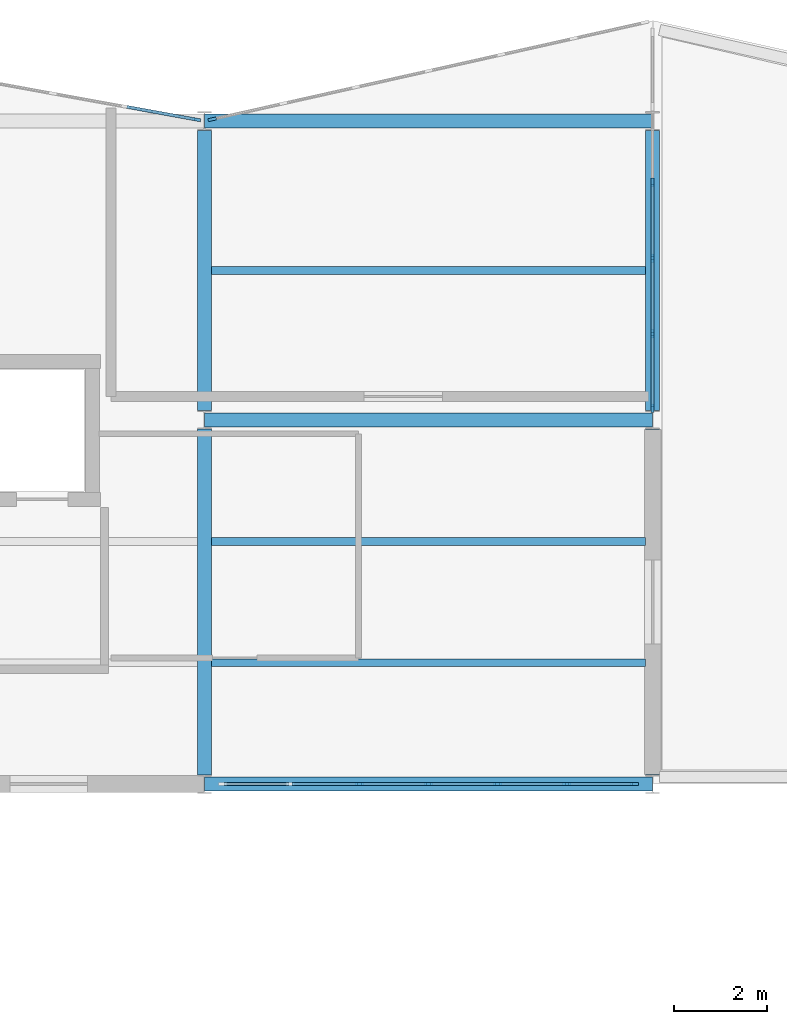
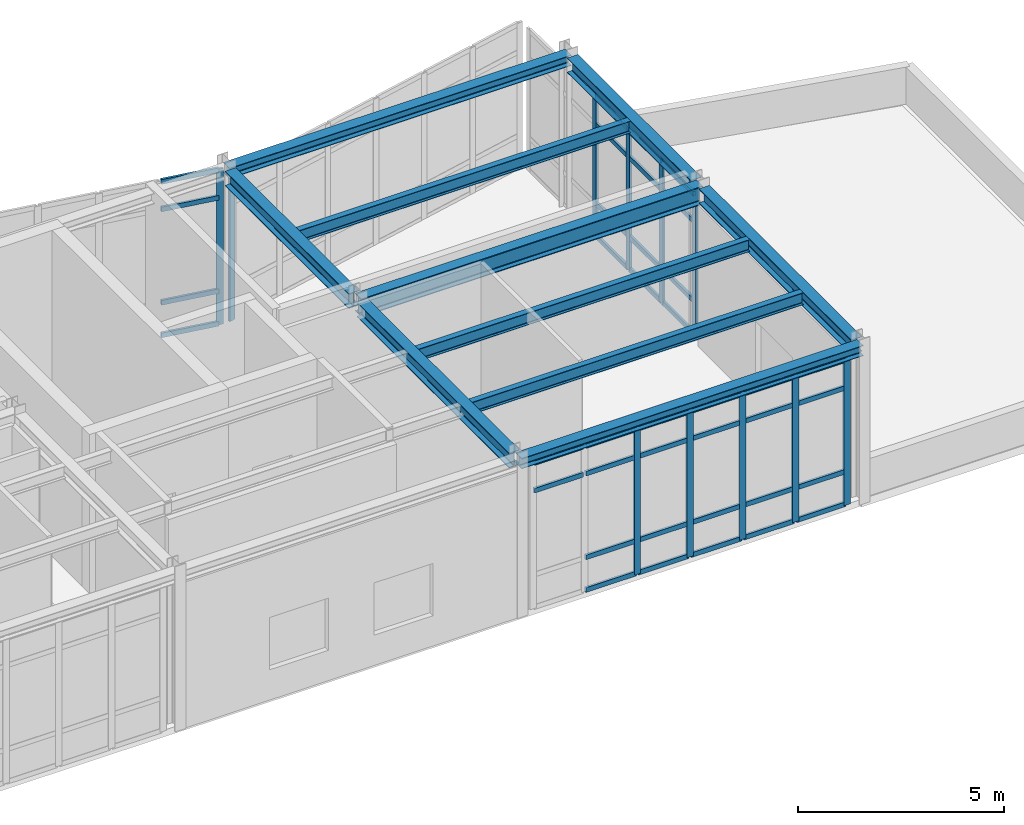
# One storey, part 14 of 28: 49 members, 10 beams, 4 elements without a shape of their own.
"""IFC4 building model written with IfcOpenShell, lengths in metres."""

from ifc_helpers import new_model, si_unit, direction, frame, origin, origin_2d, place, context, subcontext, project, spatial, rectangle, i_section, extrude, material, layer, layer_set, material_profile, profile_set, type_object, element, aggregate, save


model = new_model("IFC4")

# Units and contexts
model_context = context("Model", 3, precision=1e-05, world=origin(), true_north=direction((0.0, 1.0)))
body_context = subcontext(model_context, "Body", "Model", "MODEL_VIEW")
ifc_project = project(units=[si_unit("LENGTHUNIT", "METRE"), si_unit("AREAUNIT", "SQUARE_METRE"), si_unit("VOLUMEUNIT", "CUBIC_METRE"), si_unit("PLANEANGLEUNIT", "RADIAN"), si_unit("MASSUNIT", "GRAM", prefix="KILO")], contexts=[model_context])

# Site, building, storey
site_placement = place(None, origin())
site = spatial("IfcSite", under=ifc_project, at=site_placement, CompositionType="ELEMENT")
building_placement = place(site_placement, origin())
building = spatial("IfcBuilding", under=site, at=building_placement, Name="Nordkorset Police Headquarters", CompositionType="ELEMENT")
storey_placement = place(building_placement, frame((0.0, 0.0, 26.25)))
storey = spatial("IfcBuildingStorey", under=building, at=storey_placement, Name="L06", CompositionType="ELEMENT", Elevation=26.25)

# Beams
ifc_material_1 = material(Name="Steel S355J2", Category="steel")
ifc_material_profile_1 = material_profile(ifc_material_1, i_section(OverallWidth=0.169921875, OverallDepth=0.360107421875, WebThickness=0.008056640625, FlangeThickness=0.0126953125, FilletRadius=0.01806640625, at=origin_2d()), Name="IPE 360")
ifc_profile_set_1 = profile_set([ifc_material_profile_1], Name="Steel S355J2")
beam_type_1 = type_object("IfcBeamType", Name="Beam_IPE_360", PredefinedType="BEAM", material=ifc_profile_set_1)
for number, where, z_axis, x_axis, name in (
    (1, (67.35009765625, 105.199951171875, 4.485107421875), (1.0, 0.0, 0.0), (0.0, 1.0, 0.0), "Composite Floor Beam V2 L06 4-0-1"),
    (2, (67.35009765625, 107.800048828125, 4.485107421875), (1.0, 0.0, 0.0), (0.0, 1.0, 0.0), "Composite Floor Beam V2 L06 4-0-2"),
    (3, (67.35009765625, 113.60009765625, 4.485107421875), (1.0, 0.0, 0.0), (0.0, 1.0, 0.0), "Composite Floor Beam V2 L06 4-1-1"),
):
    element("IfcBeam", number, at=place(storey_placement, frame(where, z_axis=z_axis, x_axis=x_axis)), inside=storey, type_object=beam_type_1, Name=name, PredefinedType="BEAM", context=body_context, shape_type="SweptSolid", body=[
        extrude(i_section(OverallWidth=0.169921875, OverallDepth=0.360107421875, WebThickness=0.008056640625, FlangeThickness=0.0126953125, FilletRadius=0.01806640625, at=origin_2d()), origin(), (0.0, 0.0, 1.0), 9.2998046875),
    ])

# Curtain wall, member
ifc_material_2 = material(Name="Aluminium alloy AW-6060", Category="aluminium")
ifc_layer_1 = layer(ifc_material_2, 0.179931640625, Name="Aluminium alloy AW-6060")
ifc_layer_set_1 = layer_set([ifc_layer_1], Name="Aluminium alloy AW-6060")
curtain_wall_type_1 = type_object("IfcCurtainWallType", Name="CW_Unit_948x462", PredefinedType="USERDEFINED", material=ifc_layer_set_1)
curtain_wall_1_placement = place(storey_placement, origin())
curtain_wall_1 = element("IfcCurtainWall", 4, at=curtain_wall_1_placement, inside=storey, type_object=curtain_wall_type_1, Name="Unitised Curtain Wall L06 V2N-3", ObjectType="UNITISED CURTAIN WALL", PredefinedType="USERDEFINED")
ifc_material_3 = material(Name="Aluminium alloy AW-6060", Category="aluminium")
ifc_material_profile_2 = material_profile(ifc_material_3, rectangle(XDim=0.06494140625, YDim=0.179931640625, at=origin_2d()), Name="ALU MULL 65x180")
ifc_profile_set_2 = profile_set([ifc_material_profile_2], Name="Aluminium alloy AW-6060")
member_type_1 = type_object("IfcMemberType", Name="CW_Mullion_65x180", PredefinedType="MULLION", material=ifc_profile_set_2)
member_1_placement = place(storey_placement, frame((67.0302734375, 116.8310546875, 0.0), z_axis=(0.0, 0.0, 1.0), x_axis=(0.179335715876, 0.983787934979, 0.0)))
member_1 = element("IfcMember", 5, at=member_1_placement, type_object=member_type_1, Name="CW-98 mullion 7", PredefinedType="MULLION", context=body_context, shape_type="SweptSolid", body=[
    extrude(rectangle(XDim=0.06494140625, YDim=0.179931640625, at=origin_2d()), origin(), (0.0, 0.0, 1.0), 4.6201171875),
])

ifc_material_4 = material(Name="Aluminium alloy AW-6060", Category="aluminium")
ifc_layer_2 = layer(ifc_material_4, 0.179931640625, Name="Aluminium alloy AW-6060")
ifc_layer_set_2 = layer_set([ifc_layer_2], Name="Aluminium alloy AW-6060")
curtain_wall_type_2 = type_object("IfcCurtainWallType", Name="CW_Unit_956x434", PredefinedType="USERDEFINED", material=ifc_layer_set_2)
curtain_wall_2_placement = place(storey_placement, origin())
curtain_wall_2 = element("IfcCurtainWall", 6, at=curtain_wall_2_placement, inside=storey, type_object=curtain_wall_type_2, Name="Unitised Curtain Wall L06 V2N-4", ObjectType="UNITISED CURTAIN WALL", PredefinedType="USERDEFINED")
member_2_placement = place(storey_placement, frame((67.368408203125, 116.837646484375, 0.0), z_axis=(0.0, 0.0, 1.0), x_axis=(-0.218544020358, 0.975827090814, 0.0)))
member_2 = element("IfcMember", 7, at=member_2_placement, type_object=member_type_1, Name="CW-04 mullion 1", PredefinedType="MULLION", context=body_context, shape_type="SweptSolid", body=[
    extrude(rectangle(XDim=0.06494140625, YDim=0.179931640625, at=origin_2d()), origin(), (0.0, 0.0, 1.0), 4.3349609375),
])
aggregate(curtain_wall_2, [member_2])

# Curtain wall, members
ifc_material_5 = material(Name="Aluminium alloy AW-6060", Category="aluminium")
ifc_layer_3 = layer(ifc_material_5, 0.179931640625, Name="Aluminium alloy AW-6060")
ifc_layer_set_3 = layer_set([ifc_layer_3], Name="Aluminium alloy AW-6060")
curtain_wall_type_3 = type_object("IfcCurtainWallType", Name="CW_Unit_888x434", PredefinedType="USERDEFINED", material=ifc_layer_set_3)
curtain_wall_3_placement = place(storey_placement, origin())
curtain_wall_3 = element("IfcCurtainWall", 8, at=curtain_wall_3_placement, inside=storey, type_object=curtain_wall_type_3, Name="Unitised Curtain Wall L06 V2S-4", ObjectType="UNITISED CURTAIN WALL", PredefinedType="USERDEFINED")
member_3_placement = place(storey_placement, frame((70.52001953125, 102.60009765625, 0.0), z_axis=(0.0, 0.0, 1.0), x_axis=(0.0, 1.0, 0.0)))
member_3 = element("IfcMember", 9, at=member_3_placement, type_object=member_type_1, Name="CW-74 mullion 3", PredefinedType="MULLION", context=body_context, shape_type="SweptSolid", body=[
    extrude(rectangle(XDim=0.06494140625, YDim=0.179931640625, at=origin_2d()), origin(), (0.0, 0.0, 1.0), 4.3349609375),
])
member_4_placement = place(storey_placement, frame((72.0, 102.60009765625, 0.0), z_axis=(0.0, 0.0, 1.0), x_axis=(0.0, 1.0, 0.0)))
member_4 = element("IfcMember", 10, at=member_4_placement, type_object=member_type_1, Name="CW-74 mullion 4", PredefinedType="MULLION", context=body_context, shape_type="SweptSolid", body=[
    extrude(rectangle(XDim=0.06494140625, YDim=0.179931640625, at=origin_2d()), origin(), (0.0, 0.0, 1.0), 4.3349609375),
])
member_5_placement = place(storey_placement, frame((73.47998046875, 102.60009765625, 0.0), z_axis=(0.0, 0.0, 1.0), x_axis=(0.0, 1.0, 0.0)))
member_5 = element("IfcMember", 11, at=member_5_placement, type_object=member_type_1, Name="CW-74 mullion 5", PredefinedType="MULLION", context=body_context, shape_type="SweptSolid", body=[
    extrude(rectangle(XDim=0.06494140625, YDim=0.179931640625, at=origin_2d()), origin(), (0.0, 0.0, 1.0), 4.3349609375),
])
member_6_placement = place(storey_placement, frame((74.9599609375, 102.60009765625, 0.0), z_axis=(0.0, 0.0, 1.0), x_axis=(0.0, 1.0, 0.0)))
member_6 = element("IfcMember", 12, at=member_6_placement, type_object=member_type_1, Name="CW-74 mullion 6", PredefinedType="MULLION", context=body_context, shape_type="SweptSolid", body=[
    extrude(rectangle(XDim=0.06494140625, YDim=0.179931640625, at=origin_2d()), origin(), (0.0, 0.0, 1.0), 4.3349609375),
])
member_7_placement = place(storey_placement, frame((76.407470703125, 102.60009765625, 0.0), z_axis=(0.0, 0.0, 1.0), x_axis=(0.0, 1.0, 0.0)))
member_7 = element("IfcMember", 13, at=member_7_placement, type_object=member_type_1, Name="CW-74 mullion 7", PredefinedType="MULLION", context=body_context, shape_type="SweptSolid", body=[
    extrude(rectangle(XDim=0.06494140625, YDim=0.179931640625, at=origin_2d()), origin(), (0.0, 0.0, 1.0), 4.3349609375),
])

ifc_material_6 = material(Name="Aluminium alloy AW-6060", Category="aluminium")
ifc_layer_4 = layer(ifc_material_6, 0.179931640625, Name="Aluminium alloy AW-6060")
ifc_layer_set_4 = layer_set([ifc_layer_4], Name="Aluminium alloy AW-6060")
curtain_wall_type_4 = type_object("IfcCurtainWallType", Name="CW_Unit_811x420", PredefinedType="USERDEFINED", material=ifc_layer_set_4)
curtain_wall_4_placement = place(storey_placement, origin())
curtain_wall_4 = element("IfcCurtainWall", 14, at=curtain_wall_4_placement, inside=storey, type_object=curtain_wall_type_4, Name="Unitised Curtain Wall L06 V2E-L06B", ObjectType="UNITISED CURTAIN WALL", PredefinedType="USERDEFINED")
member_8_placement = place(storey_placement, frame((76.800048828125, 110.652587890625, 0.0), z_axis=(0.0, 0.0, 1.0), x_axis=(-1.0, 0.0, 0.0)))
member_8 = element("IfcMember", 15, at=member_8_placement, type_object=member_type_1, Name="CW-12 mullion 1", PredefinedType="MULLION", context=body_context, shape_type="SweptSolid", body=[
    extrude(rectangle(XDim=0.06494140625, YDim=0.179931640625, at=origin_2d()), origin(), (0.0, 0.0, 1.0), 4.205078125),
])
member_9_placement = place(storey_placement, frame((76.800048828125, 112.241943359375, 0.0), z_axis=(0.0, 0.0, 1.0), x_axis=(-1.0, 0.0, 0.0)))
member_9 = element("IfcMember", 16, at=member_9_placement, type_object=member_type_1, Name="CW-12 mullion 2", PredefinedType="MULLION", context=body_context, shape_type="SweptSolid", body=[
    extrude(rectangle(XDim=0.06494140625, YDim=0.179931640625, at=origin_2d()), origin(), (0.0, 0.0, 1.0), 4.205078125),
])
member_10_placement = place(storey_placement, frame((76.800048828125, 113.864013671875, 0.0), z_axis=(0.0, 0.0, 1.0), x_axis=(-1.0, 0.0, 0.0)))
member_10 = element("IfcMember", 17, at=member_10_placement, type_object=member_type_1, Name="CW-12 mullion 3", PredefinedType="MULLION", context=body_context, shape_type="SweptSolid", body=[
    extrude(rectangle(XDim=0.06494140625, YDim=0.179931640625, at=origin_2d()), origin(), (0.0, 0.0, 1.0), 4.205078125),
])
member_11_placement = place(storey_placement, frame((76.800048828125, 115.486083984375, 0.0), z_axis=(0.0, 0.0, 1.0), x_axis=(-1.0, 0.0, 0.0)))
member_11 = element("IfcMember", 18, at=member_11_placement, type_object=member_type_1, Name="CW-12 mullion 4", PredefinedType="MULLION", context=body_context, shape_type="SweptSolid", body=[
    extrude(rectangle(XDim=0.06494140625, YDim=0.179931640625, at=origin_2d()), origin(), (0.0, 0.0, 1.0), 4.205078125),
])

# Member
ifc_material_7 = material(Name="Aluminium alloy AW-6060", Category="aluminium")
ifc_material_profile_3 = material_profile(ifc_material_7, rectangle(XDim=0.06494140625, YDim=0.139892578125, at=origin_2d()), Name="ALU TRAN 65x140")
ifc_profile_set_3 = profile_set([ifc_material_profile_3], Name="Aluminium alloy AW-6060")
member_type_2 = type_object("IfcMemberType", Name="CW_Transom_65x140", PredefinedType="USERDEFINED", material=ifc_profile_set_3)
member_12_placement = place(storey_placement, frame((65.5400390625, 117.1025390625, 0.032470703125), z_axis=(0.98378282961, -0.179363720316, 0.0), x_axis=(0.179363720316, 0.98378282961, 0.0)))
member_12 = element("IfcMember", 19, at=member_12_placement, type_object=member_type_2, Name="CW-98 transom 6.1", ObjectType="TRANSOM", PredefinedType="USERDEFINED", context=body_context, shape_type="SweptSolid", body=[
    extrude(rectangle(XDim=0.06494140625, YDim=0.139892578125, at=origin_2d()), origin(), (0.0, 0.0, 1.0), 1.482177734375),
])

member_13_placement = place(storey_placement, frame((65.5400390625, 117.1025390625, 1.0), z_axis=(0.98378282961, -0.179363720316, 0.0), x_axis=(0.179363720316, 0.98378282961, 0.0)))
member_13 = element("IfcMember", 20, at=member_13_placement, type_object=member_type_2, Name="CW-98 transom 6.2", ObjectType="TRANSOM", PredefinedType="USERDEFINED", context=body_context, shape_type="SweptSolid", body=[
    extrude(rectangle(XDim=0.06494140625, YDim=0.139892578125, at=origin_2d()), origin(), (0.0, 0.0, 1.0), 1.482177734375),
])

member_14_placement = place(storey_placement, frame((65.5400390625, 117.1025390625, 3.77001953125), z_axis=(0.98378282961, -0.179363720316, 0.0), x_axis=(0.179363720316, 0.98378282961, 0.0)))
member_14 = element("IfcMember", 21, at=member_14_placement, type_object=member_type_2, Name="CW-98 transom 6.3", ObjectType="TRANSOM", PredefinedType="USERDEFINED", context=body_context, shape_type="SweptSolid", body=[
    extrude(rectangle(XDim=0.06494140625, YDim=0.139892578125, at=origin_2d()), origin(), (0.0, 0.0, 1.0), 1.482177734375),
])

member_15_placement = place(storey_placement, frame((65.5400390625, 117.1025390625, 4.58740234375), z_axis=(0.98378282961, -0.179363720316, 0.0), x_axis=(0.179363720316, 0.98378282961, 0.0)))
member_15 = element("IfcMember", 22, at=member_15_placement, type_object=member_type_2, Name="CW-98 transom 6.4", ObjectType="TRANSOM", PredefinedType="USERDEFINED", context=body_context, shape_type="SweptSolid", body=[
    extrude(rectangle(XDim=0.06494140625, YDim=0.139892578125, at=origin_2d()), origin(), (0.0, 0.0, 1.0), 1.482177734375),
])

aggregate(curtain_wall_1, [member_1, member_12, member_13, member_14, member_15])

member_16_placement = place(storey_placement, frame((67.625, 102.60009765625, 3.485107421875), z_axis=(1.0, 0.0, 0.0), x_axis=(0.0, 1.0, 0.0)))
member_16 = element("IfcMember", 23, at=member_16_placement, type_object=member_type_2, Name="CW-74 transom 1.3", ObjectType="TRANSOM", PredefinedType="USERDEFINED", context=body_context, shape_type="SweptSolid", body=[
    extrude(rectangle(XDim=0.06494140625, YDim=0.139892578125, at=origin_2d()), origin(), (0.0, 0.0, 1.0), 1.382568359375),
])

member_17_placement = place(storey_placement, frame((67.625, 102.60009765625, 4.302490234375), z_axis=(1.0, 0.0, 0.0), x_axis=(0.0, 1.0, 0.0)))
member_17 = element("IfcMember", 24, at=member_17_placement, type_object=member_type_2, Name="CW-74 transom 1.4", ObjectType="TRANSOM", PredefinedType="USERDEFINED", context=body_context, shape_type="SweptSolid", body=[
    extrude(rectangle(XDim=0.06494140625, YDim=0.139892578125, at=origin_2d()), origin(), (0.0, 0.0, 1.0), 1.382568359375),
])

member_18_placement = place(storey_placement, frame((69.072509765625, 102.60009765625, 0.032470703125), z_axis=(1.0, 0.0, 0.0), x_axis=(0.0, 1.0, 0.0)))
member_18 = element("IfcMember", 25, at=member_18_placement, type_object=member_type_2, Name="CW-74 transom 2.1", ObjectType="TRANSOM", PredefinedType="USERDEFINED", context=body_context, shape_type="SweptSolid", body=[
    extrude(rectangle(XDim=0.06494140625, YDim=0.139892578125, at=origin_2d()), origin(), (0.0, 0.0, 1.0), 1.4150390625),
])

member_19_placement = place(storey_placement, frame((69.072509765625, 102.60009765625, 1.0), z_axis=(1.0, 0.0, 0.0), x_axis=(0.0, 1.0, 0.0)))
member_19 = element("IfcMember", 26, at=member_19_placement, type_object=member_type_2, Name="CW-74 transom 2.2", ObjectType="TRANSOM", PredefinedType="USERDEFINED", context=body_context, shape_type="SweptSolid", body=[
    extrude(rectangle(XDim=0.06494140625, YDim=0.139892578125, at=origin_2d()), origin(), (0.0, 0.0, 1.0), 1.4150390625),
])

member_20_placement = place(storey_placement, frame((69.072509765625, 102.60009765625, 3.485107421875), z_axis=(1.0, 0.0, 0.0), x_axis=(0.0, 1.0, 0.0)))
member_20 = element("IfcMember", 27, at=member_20_placement, type_object=member_type_2, Name="CW-74 transom 2.3", ObjectType="TRANSOM", PredefinedType="USERDEFINED", context=body_context, shape_type="SweptSolid", body=[
    extrude(rectangle(XDim=0.06494140625, YDim=0.139892578125, at=origin_2d()), origin(), (0.0, 0.0, 1.0), 1.4150390625),
])

member_21_placement = place(storey_placement, frame((69.072509765625, 102.60009765625, 4.302490234375), z_axis=(1.0, 0.0, 0.0), x_axis=(0.0, 1.0, 0.0)))
member_21 = element("IfcMember", 28, at=member_21_placement, type_object=member_type_2, Name="CW-74 transom 2.4", ObjectType="TRANSOM", PredefinedType="USERDEFINED", context=body_context, shape_type="SweptSolid", body=[
    extrude(rectangle(XDim=0.06494140625, YDim=0.139892578125, at=origin_2d()), origin(), (0.0, 0.0, 1.0), 1.4150390625),
])

member_22_placement = place(storey_placement, frame((70.552490234375, 102.60009765625, 0.032470703125), z_axis=(1.0, 0.0, 0.0), x_axis=(0.0, 1.0, 0.0)))
member_22 = element("IfcMember", 29, at=member_22_placement, type_object=member_type_2, Name="CW-74 transom 3.1", ObjectType="TRANSOM", PredefinedType="USERDEFINED", context=body_context, shape_type="SweptSolid", body=[
    extrude(rectangle(XDim=0.06494140625, YDim=0.139892578125, at=origin_2d()), origin(), (0.0, 0.0, 1.0), 1.4150390625),
])

member_23_placement = place(storey_placement, frame((70.552490234375, 102.60009765625, 1.0), z_axis=(1.0, 0.0, 0.0), x_axis=(0.0, 1.0, 0.0)))
member_23 = element("IfcMember", 30, at=member_23_placement, type_object=member_type_2, Name="CW-74 transom 3.2", ObjectType="TRANSOM", PredefinedType="USERDEFINED", context=body_context, shape_type="SweptSolid", body=[
    extrude(rectangle(XDim=0.06494140625, YDim=0.139892578125, at=origin_2d()), origin(), (0.0, 0.0, 1.0), 1.4150390625),
])

member_24_placement = place(storey_placement, frame((70.552490234375, 102.60009765625, 3.485107421875), z_axis=(1.0, 0.0, 0.0), x_axis=(0.0, 1.0, 0.0)))
member_24 = element("IfcMember", 31, at=member_24_placement, type_object=member_type_2, Name="CW-74 transom 3.3", ObjectType="TRANSOM", PredefinedType="USERDEFINED", context=body_context, shape_type="SweptSolid", body=[
    extrude(rectangle(XDim=0.06494140625, YDim=0.139892578125, at=origin_2d()), origin(), (0.0, 0.0, 1.0), 1.4150390625),
])

member_25_placement = place(storey_placement, frame((70.552490234375, 102.60009765625, 4.302490234375), z_axis=(1.0, 0.0, 0.0), x_axis=(0.0, 1.0, 0.0)))
member_25 = element("IfcMember", 32, at=member_25_placement, type_object=member_type_2, Name="CW-74 transom 3.4", ObjectType="TRANSOM", PredefinedType="USERDEFINED", context=body_context, shape_type="SweptSolid", body=[
    extrude(rectangle(XDim=0.06494140625, YDim=0.139892578125, at=origin_2d()), origin(), (0.0, 0.0, 1.0), 1.4150390625),
])

member_26_placement = place(storey_placement, frame((72.032470703125, 102.60009765625, 0.032470703125), z_axis=(1.0, 0.0, 0.0), x_axis=(0.0, 1.0, 0.0)))
member_26 = element("IfcMember", 33, at=member_26_placement, type_object=member_type_2, Name="CW-74 transom 4.1", ObjectType="TRANSOM", PredefinedType="USERDEFINED", context=body_context, shape_type="SweptSolid", body=[
    extrude(rectangle(XDim=0.06494140625, YDim=0.139892578125, at=origin_2d()), origin(), (0.0, 0.0, 1.0), 1.4150390625),
])

member_27_placement = place(storey_placement, frame((72.032470703125, 102.60009765625, 1.0), z_axis=(1.0, 0.0, 0.0), x_axis=(0.0, 1.0, 0.0)))
member_27 = element("IfcMember", 34, at=member_27_placement, type_object=member_type_2, Name="CW-74 transom 4.2", ObjectType="TRANSOM", PredefinedType="USERDEFINED", context=body_context, shape_type="SweptSolid", body=[
    extrude(rectangle(XDim=0.06494140625, YDim=0.139892578125, at=origin_2d()), origin(), (0.0, 0.0, 1.0), 1.4150390625),
])

member_28_placement = place(storey_placement, frame((72.032470703125, 102.60009765625, 3.485107421875), z_axis=(1.0, 0.0, 0.0), x_axis=(0.0, 1.0, 0.0)))
member_28 = element("IfcMember", 35, at=member_28_placement, type_object=member_type_2, Name="CW-74 transom 4.3", ObjectType="TRANSOM", PredefinedType="USERDEFINED", context=body_context, shape_type="SweptSolid", body=[
    extrude(rectangle(XDim=0.06494140625, YDim=0.139892578125, at=origin_2d()), origin(), (0.0, 0.0, 1.0), 1.4150390625),
])

member_29_placement = place(storey_placement, frame((72.032470703125, 102.60009765625, 4.302490234375), z_axis=(1.0, 0.0, 0.0), x_axis=(0.0, 1.0, 0.0)))
member_29 = element("IfcMember", 36, at=member_29_placement, type_object=member_type_2, Name="CW-74 transom 4.4", ObjectType="TRANSOM", PredefinedType="USERDEFINED", context=body_context, shape_type="SweptSolid", body=[
    extrude(rectangle(XDim=0.06494140625, YDim=0.139892578125, at=origin_2d()), origin(), (0.0, 0.0, 1.0), 1.4150390625),
])

member_30_placement = place(storey_placement, frame((73.512451171875, 102.60009765625, 0.032470703125), z_axis=(1.0, 0.0, 0.0), x_axis=(0.0, 1.0, 0.0)))
member_30 = element("IfcMember", 37, at=member_30_placement, type_object=member_type_2, Name="CW-74 transom 5.1", ObjectType="TRANSOM", PredefinedType="USERDEFINED", context=body_context, shape_type="SweptSolid", body=[
    extrude(rectangle(XDim=0.06494140625, YDim=0.139892578125, at=origin_2d()), origin(), (0.0, 0.0, 1.0), 1.4150390625),
])

member_31_placement = place(storey_placement, frame((73.512451171875, 102.60009765625, 1.0), z_axis=(1.0, 0.0, 0.0), x_axis=(0.0, 1.0, 0.0)))
member_31 = element("IfcMember", 38, at=member_31_placement, type_object=member_type_2, Name="CW-74 transom 5.2", ObjectType="TRANSOM", PredefinedType="USERDEFINED", context=body_context, shape_type="SweptSolid", body=[
    extrude(rectangle(XDim=0.06494140625, YDim=0.139892578125, at=origin_2d()), origin(), (0.0, 0.0, 1.0), 1.4150390625),
])

member_32_placement = place(storey_placement, frame((73.512451171875, 102.60009765625, 3.485107421875), z_axis=(1.0, 0.0, 0.0), x_axis=(0.0, 1.0, 0.0)))
member_32 = element("IfcMember", 39, at=member_32_placement, type_object=member_type_2, Name="CW-74 transom 5.3", ObjectType="TRANSOM", PredefinedType="USERDEFINED", context=body_context, shape_type="SweptSolid", body=[
    extrude(rectangle(XDim=0.06494140625, YDim=0.139892578125, at=origin_2d()), origin(), (0.0, 0.0, 1.0), 1.4150390625),
])

member_33_placement = place(storey_placement, frame((73.512451171875, 102.60009765625, 4.302490234375), z_axis=(1.0, 0.0, 0.0), x_axis=(0.0, 1.0, 0.0)))
member_33 = element("IfcMember", 40, at=member_33_placement, type_object=member_type_2, Name="CW-74 transom 5.4", ObjectType="TRANSOM", PredefinedType="USERDEFINED", context=body_context, shape_type="SweptSolid", body=[
    extrude(rectangle(XDim=0.06494140625, YDim=0.139892578125, at=origin_2d()), origin(), (0.0, 0.0, 1.0), 1.4150390625),
])

member_34_placement = place(storey_placement, frame((74.992431640625, 102.60009765625, 0.032470703125), z_axis=(1.0, 0.0, 0.0), x_axis=(0.0, 1.0, 0.0)))
member_34 = element("IfcMember", 41, at=member_34_placement, type_object=member_type_2, Name="CW-74 transom 6.1", ObjectType="TRANSOM", PredefinedType="USERDEFINED", context=body_context, shape_type="SweptSolid", body=[
    extrude(rectangle(XDim=0.06494140625, YDim=0.139892578125, at=origin_2d()), origin(), (0.0, 0.0, 1.0), 1.382568359375),
])

member_35_placement = place(storey_placement, frame((74.992431640625, 102.60009765625, 1.0), z_axis=(1.0, 0.0, 0.0), x_axis=(0.0, 1.0, 0.0)))
member_35 = element("IfcMember", 42, at=member_35_placement, type_object=member_type_2, Name="CW-74 transom 6.2", ObjectType="TRANSOM", PredefinedType="USERDEFINED", context=body_context, shape_type="SweptSolid", body=[
    extrude(rectangle(XDim=0.06494140625, YDim=0.139892578125, at=origin_2d()), origin(), (0.0, 0.0, 1.0), 1.382568359375),
])

member_36_placement = place(storey_placement, frame((74.992431640625, 102.60009765625, 3.485107421875), z_axis=(1.0, 0.0, 0.0), x_axis=(0.0, 1.0, 0.0)))
member_36 = element("IfcMember", 43, at=member_36_placement, type_object=member_type_2, Name="CW-74 transom 6.3", ObjectType="TRANSOM", PredefinedType="USERDEFINED", context=body_context, shape_type="SweptSolid", body=[
    extrude(rectangle(XDim=0.06494140625, YDim=0.139892578125, at=origin_2d()), origin(), (0.0, 0.0, 1.0), 1.382568359375),
])

member_37_placement = place(storey_placement, frame((74.992431640625, 102.60009765625, 4.302490234375), z_axis=(1.0, 0.0, 0.0), x_axis=(0.0, 1.0, 0.0)))
member_37 = element("IfcMember", 44, at=member_37_placement, type_object=member_type_2, Name="CW-74 transom 6.4", ObjectType="TRANSOM", PredefinedType="USERDEFINED", context=body_context, shape_type="SweptSolid", body=[
    extrude(rectangle(XDim=0.06494140625, YDim=0.139892578125, at=origin_2d()), origin(), (0.0, 0.0, 1.0), 1.382568359375),
])

aggregate(curtain_wall_3, [member_3, member_4, member_5, member_6, member_7, member_16, member_17, member_18, member_19, member_20, member_21, member_22, member_23, member_24, member_25, member_26, member_27, member_28, member_29, member_30, member_31, member_32, member_33, member_34, member_35, member_36, member_37])

member_38_placement = place(storey_placement, frame((76.800048828125, 110.68505859375, 0.032470703125), z_axis=(0.0, 1.0, 0.0), x_axis=(-1.0, 0.0, 0.0)))
member_38 = element("IfcMember", 45, at=member_38_placement, type_object=member_type_2, Name="CW-12 transom 1.1", ObjectType="TRANSOM", PredefinedType="USERDEFINED", context=body_context, shape_type="SweptSolid", body=[
    extrude(rectangle(XDim=0.06494140625, YDim=0.139892578125, at=origin_2d()), origin(), (0.0, 0.0, 1.0), 1.5244140625),
])

member_39_placement = place(storey_placement, frame((76.800048828125, 110.68505859375, 1.0), z_axis=(0.0, 1.0, 0.0), x_axis=(-1.0, 0.0, 0.0)))
member_39 = element("IfcMember", 46, at=member_39_placement, type_object=member_type_2, Name="CW-12 transom 1.2", ObjectType="TRANSOM", PredefinedType="USERDEFINED", context=body_context, shape_type="SweptSolid", body=[
    extrude(rectangle(XDim=0.06494140625, YDim=0.139892578125, at=origin_2d()), origin(), (0.0, 0.0, 1.0), 1.5244140625),
])

member_40_placement = place(storey_placement, frame((76.800048828125, 110.68505859375, 3.35498046875), z_axis=(0.0, 1.0, 0.0), x_axis=(-1.0, 0.0, 0.0)))
member_40 = element("IfcMember", 47, at=member_40_placement, type_object=member_type_2, Name="CW-12 transom 1.3", ObjectType="TRANSOM", PredefinedType="USERDEFINED", context=body_context, shape_type="SweptSolid", body=[
    extrude(rectangle(XDim=0.06494140625, YDim=0.139892578125, at=origin_2d()), origin(), (0.0, 0.0, 1.0), 1.5244140625),
])

member_41_placement = place(storey_placement, frame((76.800048828125, 110.68505859375, 4.172607421875), z_axis=(0.0, 1.0, 0.0), x_axis=(-1.0, 0.0, 0.0)))
member_41 = element("IfcMember", 48, at=member_41_placement, type_object=member_type_2, Name="CW-12 transom 1.4", ObjectType="TRANSOM", PredefinedType="USERDEFINED", context=body_context, shape_type="SweptSolid", body=[
    extrude(rectangle(XDim=0.06494140625, YDim=0.139892578125, at=origin_2d()), origin(), (0.0, 0.0, 1.0), 1.5244140625),
])

member_42_placement = place(storey_placement, frame((76.800048828125, 112.2744140625, 0.032470703125), z_axis=(0.0, 1.0, 0.0), x_axis=(-1.0, 0.0, 0.0)))
member_42 = element("IfcMember", 49, at=member_42_placement, type_object=member_type_2, Name="CW-12 transom 2.1", ObjectType="TRANSOM", PredefinedType="USERDEFINED", context=body_context, shape_type="SweptSolid", body=[
    extrude(rectangle(XDim=0.06494140625, YDim=0.139892578125, at=origin_2d()), origin(), (0.0, 0.0, 1.0), 1.55712890625),
])

member_43_placement = place(storey_placement, frame((76.800048828125, 112.2744140625, 1.0), z_axis=(0.0, 1.0, 0.0), x_axis=(-1.0, 0.0, 0.0)))
member_43 = element("IfcMember", 50, at=member_43_placement, type_object=member_type_2, Name="CW-12 transom 2.2", ObjectType="TRANSOM", PredefinedType="USERDEFINED", context=body_context, shape_type="SweptSolid", body=[
    extrude(rectangle(XDim=0.06494140625, YDim=0.139892578125, at=origin_2d()), origin(), (0.0, 0.0, 1.0), 1.55712890625),
])

member_44_placement = place(storey_placement, frame((76.800048828125, 112.2744140625, 3.35498046875), z_axis=(0.0, 1.0, 0.0), x_axis=(-1.0, 0.0, 0.0)))
member_44 = element("IfcMember", 51, at=member_44_placement, type_object=member_type_2, Name="CW-12 transom 2.3", ObjectType="TRANSOM", PredefinedType="USERDEFINED", context=body_context, shape_type="SweptSolid", body=[
    extrude(rectangle(XDim=0.06494140625, YDim=0.139892578125, at=origin_2d()), origin(), (0.0, 0.0, 1.0), 1.55712890625),
])

member_45_placement = place(storey_placement, frame((76.800048828125, 112.2744140625, 4.172607421875), z_axis=(0.0, 1.0, 0.0), x_axis=(-1.0, 0.0, 0.0)))
member_45 = element("IfcMember", 52, at=member_45_placement, type_object=member_type_2, Name="CW-12 transom 2.4", ObjectType="TRANSOM", PredefinedType="USERDEFINED", context=body_context, shape_type="SweptSolid", body=[
    extrude(rectangle(XDim=0.06494140625, YDim=0.139892578125, at=origin_2d()), origin(), (0.0, 0.0, 1.0), 1.55712890625),
])

member_46_placement = place(storey_placement, frame((76.800048828125, 113.896484375, 0.032470703125), z_axis=(0.0, 1.0, 0.0), x_axis=(-1.0, 0.0, 0.0)))
member_46 = element("IfcMember", 53, at=member_46_placement, type_object=member_type_2, Name="CW-12 transom 3.1", ObjectType="TRANSOM", PredefinedType="USERDEFINED", context=body_context, shape_type="SweptSolid", body=[
    extrude(rectangle(XDim=0.06494140625, YDim=0.139892578125, at=origin_2d()), origin(), (0.0, 0.0, 1.0), 1.55712890625),
])

member_47_placement = place(storey_placement, frame((76.800048828125, 113.896484375, 1.0), z_axis=(0.0, 1.0, 0.0), x_axis=(-1.0, 0.0, 0.0)))
member_47 = element("IfcMember", 54, at=member_47_placement, type_object=member_type_2, Name="CW-12 transom 3.2", ObjectType="TRANSOM", PredefinedType="USERDEFINED", context=body_context, shape_type="SweptSolid", body=[
    extrude(rectangle(XDim=0.06494140625, YDim=0.139892578125, at=origin_2d()), origin(), (0.0, 0.0, 1.0), 1.55712890625),
])

member_48_placement = place(storey_placement, frame((76.800048828125, 113.896484375, 3.35498046875), z_axis=(0.0, 1.0, 0.0), x_axis=(-1.0, 0.0, 0.0)))
member_48 = element("IfcMember", 55, at=member_48_placement, type_object=member_type_2, Name="CW-12 transom 3.3", ObjectType="TRANSOM", PredefinedType="USERDEFINED", context=body_context, shape_type="SweptSolid", body=[
    extrude(rectangle(XDim=0.06494140625, YDim=0.139892578125, at=origin_2d()), origin(), (0.0, 0.0, 1.0), 1.55712890625),
])

member_49_placement = place(storey_placement, frame((76.800048828125, 113.896484375, 4.172607421875), z_axis=(0.0, 1.0, 0.0), x_axis=(-1.0, 0.0, 0.0)))
member_49 = element("IfcMember", 56, at=member_49_placement, type_object=member_type_2, Name="CW-12 transom 3.4", ObjectType="TRANSOM", PredefinedType="USERDEFINED", context=body_context, shape_type="SweptSolid", body=[
    extrude(rectangle(XDim=0.06494140625, YDim=0.139892578125, at=origin_2d()), origin(), (0.0, 0.0, 1.0), 1.55712890625),
])

aggregate(curtain_wall_4, [member_8, member_9, member_10, member_11, member_38, member_39, member_40, member_41, member_42, member_43, member_44, member_45, member_46, member_47, member_48, member_49])

# Beams
ifc_material_8 = material(Name="Steel S355J2", Category="steel")
ifc_material_profile_4 = material_profile(ifc_material_8, i_section(OverallWidth=0.300048828125, OverallDepth=0.43994140625, WebThickness=0.011474609375, FlangeThickness=0.02099609375, FilletRadius=0.027099609375, at=origin_2d()), Name="HEA 450")
ifc_profile_set_4 = profile_set([ifc_material_profile_4], Name="Steel S355J2")
beam_type_2 = type_object("IfcBeamType", Name="Girder_HEA_450", PredefinedType="USERDEFINED", material=ifc_profile_set_4)
beam_1_placement = place(storey_placement, frame((67.199951171875, 102.800048828125, 4.445068359375), z_axis=(0.0, 1.0, 0.0), x_axis=(-1.0, 0.0, 0.0)))
element("IfcBeam", 57, at=beam_1_placement, inside=storey, type_object=beam_type_2, Name="Girder V2 L06 GY-4-0", ObjectType="GIRDER", PredefinedType="USERDEFINED", context=body_context, shape_type="SweptSolid", body=[
    extrude(i_section(OverallWidth=0.300048828125, OverallDepth=0.43994140625, WebThickness=0.011474609375, FlangeThickness=0.02099609375, FilletRadius=0.027099609375, at=origin_2d()), origin(), (0.0, 0.0, 1.0), 7.39990234375),
])
beam_2_placement = place(storey_placement, frame((67.199951171875, 110.60009765625, 4.445068359375), z_axis=(0.0, 1.0, 0.0), x_axis=(-1.0, 0.0, 0.0)))
element("IfcBeam", 58, at=beam_2_placement, inside=storey, type_object=beam_type_2, Name="Girder V2 L06 GY-4-1", ObjectType="GIRDER", PredefinedType="USERDEFINED", context=body_context, shape_type="SweptSolid", body=[
    extrude(i_section(OverallWidth=0.300048828125, OverallDepth=0.43994140625, WebThickness=0.011474609375, FlangeThickness=0.02099609375, FilletRadius=0.027099609375, at=origin_2d()), origin(), (0.0, 0.0, 1.0), 6.0),
])
beam_3_placement = place(storey_placement, frame((76.800048828125, 102.800048828125, 4.445068359375), z_axis=(0.0, 1.0, 0.0), x_axis=(-1.0, 0.0, 0.0)))
element("IfcBeam", 59, at=beam_3_placement, inside=storey, type_object=beam_type_2, Name="Girder V2 L06 GY-5-0", ObjectType="GIRDER", PredefinedType="USERDEFINED", context=body_context, shape_type="SweptSolid", body=[
    extrude(i_section(OverallWidth=0.300048828125, OverallDepth=0.43994140625, WebThickness=0.011474609375, FlangeThickness=0.02099609375, FilletRadius=0.027099609375, at=origin_2d()), origin(), (0.0, 0.0, 1.0), 7.39990234375),
])
beam_4_placement = place(storey_placement, frame((76.800048828125, 110.60009765625, 4.445068359375), z_axis=(0.0, 1.0, 0.0), x_axis=(-1.0, 0.0, 0.0)))
element("IfcBeam", 60, at=beam_4_placement, inside=storey, type_object=beam_type_2, Name="Girder V2 L06 GY-5-1", ObjectType="GIRDER", PredefinedType="USERDEFINED", context=body_context, shape_type="SweptSolid", body=[
    extrude(i_section(OverallWidth=0.300048828125, OverallDepth=0.43994140625, WebThickness=0.011474609375, FlangeThickness=0.02099609375, FilletRadius=0.027099609375, at=origin_2d()), origin(), (0.0, 0.0, 1.0), 6.0),
])
ifc_material_9 = material(Name="Steel S355J2", Category="steel")
ifc_material_profile_5 = material_profile(ifc_material_9, i_section(OverallWidth=0.300048828125, OverallDepth=0.5400390625, WebThickness=0.012451171875, FlangeThickness=0.02392578125, FilletRadius=0.027099609375, at=origin_2d()), Name="HEA 550")
ifc_profile_set_5 = profile_set([ifc_material_profile_5], Name="Steel S355J2")
beam_type_3 = type_object("IfcBeamType", Name="Girder_HEA_550", PredefinedType="USERDEFINED", material=ifc_profile_set_5)
beam_5_placement = place(storey_placement, frame((67.206787109375, 110.39990234375, 4.39501953125), z_axis=(1.0, 0.0, 0.0), x_axis=(0.0, 1.0, 0.0)))
element("IfcBeam", 61, at=beam_5_placement, inside=storey, type_object=beam_type_3, Name="Girder V2 L06 GX-1-4", ObjectType="GIRDER", PredefinedType="USERDEFINED", context=body_context, shape_type="SweptSolid", body=[
    extrude(i_section(OverallWidth=0.300048828125, OverallDepth=0.5400390625, WebThickness=0.012451171875, FlangeThickness=0.02392578125, FilletRadius=0.027099609375, at=origin_2d()), origin(), (0.0, 0.0, 1.0), 9.58642578125),
])
ifc_material_10 = material(Name="Steel S355J2", Category="steel")
ifc_material_profile_6 = material_profile(ifc_material_10, i_section(OverallWidth=0.300048828125, OverallDepth=0.31005859375, WebThickness=0.009033203125, FlangeThickness=0.015380859375, FilletRadius=0.027099609375, at=origin_2d()), Name="HEA 320")
ifc_profile_set_6 = profile_set([ifc_material_profile_6], Name="Steel S355J2")
beam_type_4 = type_object("IfcBeamType", Name="Spandrel_HEA_320", PredefinedType="SPANDREL", material=ifc_profile_set_6)
for number, where, z_axis, x_axis, name in (
    (62, (67.206787109375, 102.60009765625, 4.510009765625), (1.0, 0.0, 0.0), (0.0, 1.0, 0.0), "Girder V2 L06 GX-0-4"),
    (63, (67.206787109375, 116.800048828125, 4.510009765625), (1.0, 0.0, 0.0), (0.0, 1.0, 0.0), "Girder V2 L06 GX-2-4"),
):
    element("IfcBeam", number, at=place(storey_placement, frame(where, z_axis=z_axis, x_axis=x_axis)), inside=storey, type_object=beam_type_4, Name=name, PredefinedType="SPANDREL", context=body_context, shape_type="SweptSolid", body=[
        extrude(i_section(OverallWidth=0.300048828125, OverallDepth=0.31005859375, WebThickness=0.009033203125, FlangeThickness=0.015380859375, FilletRadius=0.027099609375, at=origin_2d()), origin(), (0.0, 0.0, 1.0), 9.58642578125),
    ])

save(model, "model.ifc")
